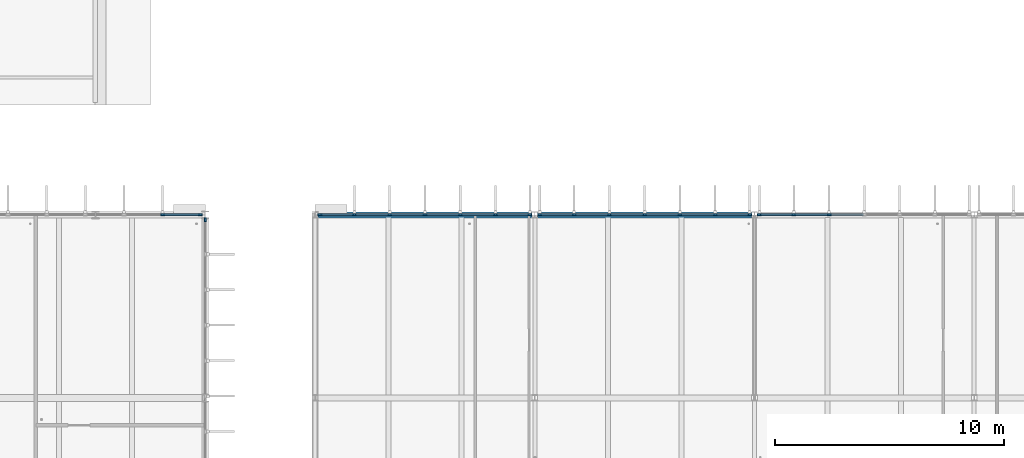
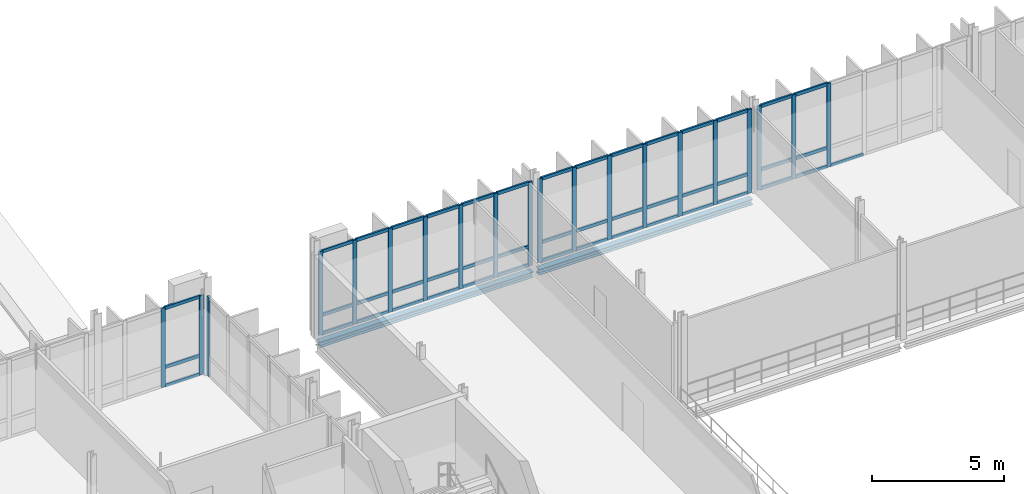
# One storey, part 21 of 59: 66 members, 2 beams, 5 elements without a shape of their own.
"""IFC4 building model written with IfcOpenShell, lengths in metres."""

from ifc_helpers import new_model, si_unit, direction, frame, origin, origin_2d, place, context, subcontext, project, spatial, rectangle, i_section, extrude, material, material_profile, profile_set, type_object, element, aggregate, save


model = new_model("IFC4")

# Units and contexts
model_context = context("Model", 3, precision=1e-05, world=origin(), true_north=direction((0.0, 1.0)))
body_context = subcontext(model_context, "Body", "Model", "MODEL_VIEW")
ifc_project = project(units=[si_unit("LENGTHUNIT", "METRE"), si_unit("AREAUNIT", "SQUARE_METRE"), si_unit("VOLUMEUNIT", "CUBIC_METRE"), si_unit("PLANEANGLEUNIT", "RADIAN"), si_unit("MASSUNIT", "GRAM", prefix="KILO")], contexts=[model_context])

# Site, building, storey
site_placement = place(None, origin())
site = spatial("IfcSite", under=ifc_project, at=site_placement, CompositionType="ELEMENT")
building_placement = place(site_placement, origin())
building = spatial("IfcBuilding", under=site, at=building_placement, Name="Dunescarp Central Library", CompositionType="ELEMENT")
storey_placement = place(building_placement, frame((0.0, 0.0, 18.60009765625)))
storey = spatial("IfcBuildingStorey", under=building, at=storey_placement, Name="L04", CompositionType="ELEMENT", Elevation=18.60009765625)

# Curtain wall, members
ifc_material_1 = material(Name="Marine-grade anodised aluminium 6063-T6", Category="aluminium")
curtain_wall_type = type_object("IfcCurtainWallType", Name="ARC-CW-STICK", PredefinedType="NOTDEFINED", material=ifc_material_1)
curtain_wall_1_placement = place(storey_placement, origin())
curtain_wall_1 = element("IfcCurtainWall", 1, at=curtain_wall_1_placement, inside=storey, type_object=curtain_wall_type, Name="L04 curtain wall CW-V1-026", PredefinedType="NOTDEFINED")
ifc_material_profile_1 = material_profile(ifc_material_1, rectangle(XDim=0.080078125, YDim=0.179931640625, at=origin_2d()), Name="AL 80x180")
ifc_profile_set_1 = profile_set([ifc_material_profile_1], Name="Marine-grade anodised aluminium 6063-T6")
member_type_1 = type_object("IfcMemberType", Name="ARC-CWM-180", PredefinedType="MULLION", material=ifc_profile_set_1)
member_1_placement = place(storey_placement, frame((31.735595703125, 36.800048828125, 0.0), z_axis=(0.0, 0.0, 1.0), x_axis=(0.0, 1.0, 0.0)))
member_1 = element("IfcMember", 2, at=member_1_placement, type_object=member_type_1, Name="CW-V1-026 mullion 7", PredefinedType="MULLION", context=body_context, shape_type="SweptSolid", body=[
    extrude(rectangle(XDim=0.080078125, YDim=0.179931640625, at=origin_2d()), origin(), (0.0, 0.0, 1.0), 3.664794921875),
])
member_2_placement = place(storey_placement, frame((33.385009765625, 36.800048828125, 0.0), z_axis=(0.0, 0.0, 1.0), x_axis=(0.0, 1.0, 0.0)))
member_2 = element("IfcMember", 3, at=member_2_placement, type_object=member_type_1, Name="CW-V1-026 mullion 8", PredefinedType="MULLION", context=body_context, shape_type="SweptSolid", body=[
    extrude(rectangle(XDim=0.080078125, YDim=0.179931640625, at=origin_2d()), origin(), (0.0, 0.0, 1.0), 3.664794921875),
])

# Curtain wall, member
curtain_wall_2_placement = place(storey_placement, origin())
curtain_wall_2 = element("IfcCurtainWall", 4, at=curtain_wall_2_placement, inside=storey, type_object=curtain_wall_type, Name="L04 curtain wall CW-V1-030", PredefinedType="NOTDEFINED")
member_3_placement = place(storey_placement, frame((33.60009765625, 36.5849609375, 0.0), z_axis=(0.0, 0.0, 1.0), x_axis=(1.0, 0.0, 0.0)))
member_3 = element("IfcMember", 5, at=member_3_placement, type_object=member_type_1, Name="CW-V1-030 mullion 1", PredefinedType="MULLION", context=body_context, shape_type="SweptSolid", body=[
    extrude(rectangle(XDim=0.080078125, YDim=0.179931640625, at=origin_2d()), origin(), (0.0, 0.0, 1.0), 3.664794921875),
])
aggregate(curtain_wall_2, [member_3])

# Curtain wall, members
curtain_wall_3_placement = place(storey_placement, origin())
curtain_wall_3 = element("IfcCurtainWall", 6, at=curtain_wall_3_placement, inside=storey, type_object=curtain_wall_type, Name="L04 curtain wall CW-V2-070", PredefinedType="NOTDEFINED")
member_4_placement = place(storey_placement, frame((38.614990234375, 36.800048828125, 0.0), z_axis=(0.0, 0.0, 1.0), x_axis=(0.0, 1.0, 0.0)))
member_4 = element("IfcMember", 7, at=member_4_placement, type_object=member_type_1, Name="CW-V2-070 mullion 1", PredefinedType="MULLION", context=body_context, shape_type="SweptSolid", body=[
    extrude(rectangle(XDim=0.080078125, YDim=0.179931640625, at=origin_2d()), origin(), (0.0, 0.0, 1.0), 3.87890625),
])
member_5_placement = place(storey_placement, frame((40.11669921875, 36.800048828125, 0.0), z_axis=(0.0, 0.0, 1.0), x_axis=(0.0, 1.0, 0.0)))
member_5 = element("IfcMember", 8, at=member_5_placement, type_object=member_type_1, Name="CW-V2-070 mullion 2", PredefinedType="MULLION", context=body_context, shape_type="SweptSolid", body=[
    extrude(rectangle(XDim=0.080078125, YDim=0.179931640625, at=origin_2d()), origin(), (0.0, 0.0, 1.0), 3.87890625),
])
member_6_placement = place(storey_placement, frame((41.658447265625, 36.800048828125, 0.0), z_axis=(0.0, 0.0, 1.0), x_axis=(0.0, 1.0, 0.0)))
member_6 = element("IfcMember", 9, at=member_6_placement, type_object=member_type_1, Name="CW-V2-070 mullion 3", PredefinedType="MULLION", context=body_context, shape_type="SweptSolid", body=[
    extrude(rectangle(XDim=0.080078125, YDim=0.179931640625, at=origin_2d()), origin(), (0.0, 0.0, 1.0), 3.87890625),
])
member_7_placement = place(storey_placement, frame((43.199951171875, 36.800048828125, 0.0), z_axis=(0.0, 0.0, 1.0), x_axis=(0.0, 1.0, 0.0)))
member_7 = element("IfcMember", 10, at=member_7_placement, type_object=member_type_1, Name="CW-V2-070 mullion 4", PredefinedType="MULLION", context=body_context, shape_type="SweptSolid", body=[
    extrude(rectangle(XDim=0.080078125, YDim=0.179931640625, at=origin_2d()), origin(), (0.0, 0.0, 1.0), 3.87890625),
])
member_8_placement = place(storey_placement, frame((44.74169921875, 36.800048828125, 0.0), z_axis=(0.0, 0.0, 1.0), x_axis=(0.0, 1.0, 0.0)))
member_8 = element("IfcMember", 11, at=member_8_placement, type_object=member_type_1, Name="CW-V2-070 mullion 5", PredefinedType="MULLION", context=body_context, shape_type="SweptSolid", body=[
    extrude(rectangle(XDim=0.080078125, YDim=0.179931640625, at=origin_2d()), origin(), (0.0, 0.0, 1.0), 3.87890625),
])
member_9_placement = place(storey_placement, frame((46.283447265625, 36.800048828125, 0.0), z_axis=(0.0, 0.0, 1.0), x_axis=(0.0, 1.0, 0.0)))
member_9 = element("IfcMember", 12, at=member_9_placement, type_object=member_type_1, Name="CW-V2-070 mullion 6", PredefinedType="MULLION", context=body_context, shape_type="SweptSolid", body=[
    extrude(rectangle(XDim=0.080078125, YDim=0.179931640625, at=origin_2d()), origin(), (0.0, 0.0, 1.0), 3.87890625),
])
member_10_placement = place(storey_placement, frame((47.784912109375, 36.800048828125, 0.0), z_axis=(0.0, 0.0, 1.0), x_axis=(0.0, 1.0, 0.0)))
member_10 = element("IfcMember", 13, at=member_10_placement, type_object=member_type_1, Name="CW-V2-070 mullion 7", PredefinedType="MULLION", context=body_context, shape_type="SweptSolid", body=[
    extrude(rectangle(XDim=0.080078125, YDim=0.179931640625, at=origin_2d()), origin(), (0.0, 0.0, 1.0), 3.87890625),
])

curtain_wall_4_placement = place(storey_placement, origin())
curtain_wall_4 = element("IfcCurtainWall", 14, at=curtain_wall_4_placement, inside=storey, type_object=curtain_wall_type, Name="L04 curtain wall CW-V2-071", PredefinedType="NOTDEFINED")
member_11_placement = place(storey_placement, frame((48.215087890625, 36.800048828125, 0.0), z_axis=(0.0, 0.0, 1.0), x_axis=(0.0, 1.0, 0.0)))
member_11 = element("IfcMember", 15, at=member_11_placement, type_object=member_type_1, Name="CW-V2-071 mullion 1", PredefinedType="MULLION", context=body_context, shape_type="SweptSolid", body=[
    extrude(rectangle(XDim=0.080078125, YDim=0.179931640625, at=origin_2d()), origin(), (0.0, 0.0, 1.0), 3.87890625),
])
member_12_placement = place(storey_placement, frame((49.716552734375, 36.800048828125, 0.0), z_axis=(0.0, 0.0, 1.0), x_axis=(0.0, 1.0, 0.0)))
member_12 = element("IfcMember", 16, at=member_12_placement, type_object=member_type_1, Name="CW-V2-071 mullion 2", PredefinedType="MULLION", context=body_context, shape_type="SweptSolid", body=[
    extrude(rectangle(XDim=0.080078125, YDim=0.179931640625, at=origin_2d()), origin(), (0.0, 0.0, 1.0), 3.87890625),
])
member_13_placement = place(storey_placement, frame((51.25830078125, 36.800048828125, 0.0), z_axis=(0.0, 0.0, 1.0), x_axis=(0.0, 1.0, 0.0)))
member_13 = element("IfcMember", 17, at=member_13_placement, type_object=member_type_1, Name="CW-V2-071 mullion 3", PredefinedType="MULLION", context=body_context, shape_type="SweptSolid", body=[
    extrude(rectangle(XDim=0.080078125, YDim=0.179931640625, at=origin_2d()), origin(), (0.0, 0.0, 1.0), 3.87890625),
])
member_14_placement = place(storey_placement, frame((52.800048828125, 36.800048828125, 0.0), z_axis=(0.0, 0.0, 1.0), x_axis=(0.0, 1.0, 0.0)))
member_14 = element("IfcMember", 18, at=member_14_placement, type_object=member_type_1, Name="CW-V2-071 mullion 4", PredefinedType="MULLION", context=body_context, shape_type="SweptSolid", body=[
    extrude(rectangle(XDim=0.080078125, YDim=0.179931640625, at=origin_2d()), origin(), (0.0, 0.0, 1.0), 3.87890625),
])
member_15_placement = place(storey_placement, frame((54.341552734375, 36.800048828125, 0.0), z_axis=(0.0, 0.0, 1.0), x_axis=(0.0, 1.0, 0.0)))
member_15 = element("IfcMember", 19, at=member_15_placement, type_object=member_type_1, Name="CW-V2-071 mullion 5", PredefinedType="MULLION", context=body_context, shape_type="SweptSolid", body=[
    extrude(rectangle(XDim=0.080078125, YDim=0.179931640625, at=origin_2d()), origin(), (0.0, 0.0, 1.0), 3.87890625),
])
member_16_placement = place(storey_placement, frame((55.88330078125, 36.800048828125, 0.0), z_axis=(0.0, 0.0, 1.0), x_axis=(0.0, 1.0, 0.0)))
member_16 = element("IfcMember", 20, at=member_16_placement, type_object=member_type_1, Name="CW-V2-071 mullion 6", PredefinedType="MULLION", context=body_context, shape_type="SweptSolid", body=[
    extrude(rectangle(XDim=0.080078125, YDim=0.179931640625, at=origin_2d()), origin(), (0.0, 0.0, 1.0), 3.87890625),
])
member_17_placement = place(storey_placement, frame((57.385009765625, 36.800048828125, 0.0), z_axis=(0.0, 0.0, 1.0), x_axis=(0.0, 1.0, 0.0)))
member_17 = element("IfcMember", 21, at=member_17_placement, type_object=member_type_1, Name="CW-V2-071 mullion 7", PredefinedType="MULLION", context=body_context, shape_type="SweptSolid", body=[
    extrude(rectangle(XDim=0.080078125, YDim=0.179931640625, at=origin_2d()), origin(), (0.0, 0.0, 1.0), 3.87890625),
])

curtain_wall_5_placement = place(storey_placement, origin())
curtain_wall_5 = element("IfcCurtainWall", 22, at=curtain_wall_5_placement, inside=storey, type_object=curtain_wall_type, Name="L04 curtain wall CW-V2-072", PredefinedType="NOTDEFINED")
member_18_placement = place(storey_placement, frame((57.81494140625, 36.800048828125, 0.0), z_axis=(0.0, 0.0, 1.0), x_axis=(0.0, 1.0, 0.0)))
member_18 = element("IfcMember", 23, at=member_18_placement, type_object=member_type_1, Name="CW-V2-072 mullion 1", PredefinedType="MULLION", context=body_context, shape_type="SweptSolid", body=[
    extrude(rectangle(XDim=0.080078125, YDim=0.179931640625, at=origin_2d()), origin(), (0.0, 0.0, 1.0), 3.87890625),
])
member_19_placement = place(storey_placement, frame((59.316650390625, 36.800048828125, 0.0), z_axis=(0.0, 0.0, 1.0), x_axis=(0.0, 1.0, 0.0)))
member_19 = element("IfcMember", 24, at=member_19_placement, type_object=member_type_1, Name="CW-V2-072 mullion 2", PredefinedType="MULLION", context=body_context, shape_type="SweptSolid", body=[
    extrude(rectangle(XDim=0.080078125, YDim=0.179931640625, at=origin_2d()), origin(), (0.0, 0.0, 1.0), 3.87890625),
])
member_20_placement = place(storey_placement, frame((60.8583984375, 36.800048828125, 0.0), z_axis=(0.0, 0.0, 1.0), x_axis=(0.0, 1.0, 0.0)))
member_20 = element("IfcMember", 25, at=member_20_placement, type_object=member_type_1, Name="CW-V2-072 mullion 3", PredefinedType="MULLION", context=body_context, shape_type="SweptSolid", body=[
    extrude(rectangle(XDim=0.080078125, YDim=0.179931640625, at=origin_2d()), origin(), (0.0, 0.0, 1.0), 3.87890625),
])

# Member
ifc_material_profile_2 = material_profile(ifc_material_1, rectangle(XDim=0.080078125, YDim=0.14990234375, at=origin_2d()), Name="AL 80x150")
ifc_profile_set_2 = profile_set([ifc_material_profile_2], Name="Marine-grade anodised aluminium 6063-T6")
member_type_2 = type_object("IfcMemberType", Name="ARC-CWT-150", PredefinedType="USERDEFINED", material=ifc_profile_set_2)
member_21_placement = place(storey_placement, frame((31.775634765625, 36.800048828125, 0.039794921875), z_axis=(1.0, 0.0, 0.0), x_axis=(0.0, 1.0, 0.0)))
member_21 = element("IfcMember", 26, at=member_21_placement, type_object=member_type_2, Name="CW-V1-026 transom 7.1", ObjectType="TRANSOM", PredefinedType="USERDEFINED", context=body_context, shape_type="SweptSolid", body=[
    extrude(rectangle(XDim=0.080078125, YDim=0.14990234375, at=origin_2d()), origin(), (0.0, 0.0, 1.0), 1.5693359375),
])

member_22_placement = place(storey_placement, frame((31.775634765625, 36.800048828125, 0.89990234375), z_axis=(1.0, 0.0, 0.0), x_axis=(0.0, 1.0, 0.0)))
member_22 = element("IfcMember", 27, at=member_22_placement, type_object=member_type_2, Name="CW-V1-026 transom 7.2", ObjectType="TRANSOM", PredefinedType="USERDEFINED", context=body_context, shape_type="SweptSolid", body=[
    extrude(rectangle(XDim=0.080078125, YDim=0.14990234375, at=origin_2d()), origin(), (0.0, 0.0, 1.0), 1.5693359375),
])

member_23_placement = place(storey_placement, frame((31.775634765625, 36.800048828125, 3.625), z_axis=(1.0, 0.0, 0.0), x_axis=(0.0, 1.0, 0.0)))
member_23 = element("IfcMember", 28, at=member_23_placement, type_object=member_type_2, Name="CW-V1-026 transom 7.3", ObjectType="TRANSOM", PredefinedType="USERDEFINED", context=body_context, shape_type="SweptSolid", body=[
    extrude(rectangle(XDim=0.080078125, YDim=0.14990234375, at=origin_2d()), origin(), (0.0, 0.0, 1.0), 1.5693359375),
])

aggregate(curtain_wall_1, [member_1, member_2, member_21, member_22, member_23])

member_24_placement = place(storey_placement, frame((38.655029296875, 36.800048828125, 0.039794921875), z_axis=(1.0, 0.0, 0.0), x_axis=(0.0, 1.0, 0.0)))
member_24 = element("IfcMember", 29, at=member_24_placement, type_object=member_type_2, Name="CW-V2-070 transom 1.1", ObjectType="TRANSOM", PredefinedType="USERDEFINED", context=body_context, shape_type="SweptSolid", body=[
    extrude(rectangle(XDim=0.080078125, YDim=0.14990234375, at=origin_2d()), origin(), (0.0, 0.0, 1.0), 1.421630859375),
])

member_25_placement = place(storey_placement, frame((38.655029296875, 36.800048828125, 0.89990234375), z_axis=(1.0, 0.0, 0.0), x_axis=(0.0, 1.0, 0.0)))
member_25 = element("IfcMember", 30, at=member_25_placement, type_object=member_type_2, Name="CW-V2-070 transom 1.2", ObjectType="TRANSOM", PredefinedType="USERDEFINED", context=body_context, shape_type="SweptSolid", body=[
    extrude(rectangle(XDim=0.080078125, YDim=0.14990234375, at=origin_2d()), origin(), (0.0, 0.0, 1.0), 1.421630859375),
])

member_26_placement = place(storey_placement, frame((38.655029296875, 36.800048828125, 3.8388671875), z_axis=(1.0, 0.0, 0.0), x_axis=(0.0, 1.0, 0.0)))
member_26 = element("IfcMember", 31, at=member_26_placement, type_object=member_type_2, Name="CW-V2-070 transom 1.3", ObjectType="TRANSOM", PredefinedType="USERDEFINED", context=body_context, shape_type="SweptSolid", body=[
    extrude(rectangle(XDim=0.080078125, YDim=0.14990234375, at=origin_2d()), origin(), (0.0, 0.0, 1.0), 1.421630859375),
])

member_27_placement = place(storey_placement, frame((40.15673828125, 36.800048828125, 0.039794921875), z_axis=(1.0, 0.0, 0.0), x_axis=(0.0, 1.0, 0.0)))
member_27 = element("IfcMember", 32, at=member_27_placement, type_object=member_type_2, Name="CW-V2-070 transom 2.1", ObjectType="TRANSOM", PredefinedType="USERDEFINED", context=body_context, shape_type="SweptSolid", body=[
    extrude(rectangle(XDim=0.080078125, YDim=0.14990234375, at=origin_2d()), origin(), (0.0, 0.0, 1.0), 1.461669921875),
])

member_28_placement = place(storey_placement, frame((40.15673828125, 36.800048828125, 0.89990234375), z_axis=(1.0, 0.0, 0.0), x_axis=(0.0, 1.0, 0.0)))
member_28 = element("IfcMember", 33, at=member_28_placement, type_object=member_type_2, Name="CW-V2-070 transom 2.2", ObjectType="TRANSOM", PredefinedType="USERDEFINED", context=body_context, shape_type="SweptSolid", body=[
    extrude(rectangle(XDim=0.080078125, YDim=0.14990234375, at=origin_2d()), origin(), (0.0, 0.0, 1.0), 1.461669921875),
])

member_29_placement = place(storey_placement, frame((40.15673828125, 36.800048828125, 3.8388671875), z_axis=(1.0, 0.0, 0.0), x_axis=(0.0, 1.0, 0.0)))
member_29 = element("IfcMember", 34, at=member_29_placement, type_object=member_type_2, Name="CW-V2-070 transom 2.3", ObjectType="TRANSOM", PredefinedType="USERDEFINED", context=body_context, shape_type="SweptSolid", body=[
    extrude(rectangle(XDim=0.080078125, YDim=0.14990234375, at=origin_2d()), origin(), (0.0, 0.0, 1.0), 1.461669921875),
])

member_30_placement = place(storey_placement, frame((41.6982421875, 36.800048828125, 0.039794921875), z_axis=(1.0, 0.0, 0.0), x_axis=(0.0, 1.0, 0.0)))
member_30 = element("IfcMember", 35, at=member_30_placement, type_object=member_type_2, Name="CW-V2-070 transom 3.1", ObjectType="TRANSOM", PredefinedType="USERDEFINED", context=body_context, shape_type="SweptSolid", body=[
    extrude(rectangle(XDim=0.080078125, YDim=0.14990234375, at=origin_2d()), origin(), (0.0, 0.0, 1.0), 1.461669921875),
])

member_31_placement = place(storey_placement, frame((41.6982421875, 36.800048828125, 0.89990234375), z_axis=(1.0, 0.0, 0.0), x_axis=(0.0, 1.0, 0.0)))
member_31 = element("IfcMember", 36, at=member_31_placement, type_object=member_type_2, Name="CW-V2-070 transom 3.2", ObjectType="TRANSOM", PredefinedType="USERDEFINED", context=body_context, shape_type="SweptSolid", body=[
    extrude(rectangle(XDim=0.080078125, YDim=0.14990234375, at=origin_2d()), origin(), (0.0, 0.0, 1.0), 1.461669921875),
])

member_32_placement = place(storey_placement, frame((41.6982421875, 36.800048828125, 3.8388671875), z_axis=(1.0, 0.0, 0.0), x_axis=(0.0, 1.0, 0.0)))
member_32 = element("IfcMember", 37, at=member_32_placement, type_object=member_type_2, Name="CW-V2-070 transom 3.3", ObjectType="TRANSOM", PredefinedType="USERDEFINED", context=body_context, shape_type="SweptSolid", body=[
    extrude(rectangle(XDim=0.080078125, YDim=0.14990234375, at=origin_2d()), origin(), (0.0, 0.0, 1.0), 1.461669921875),
])

member_33_placement = place(storey_placement, frame((43.239990234375, 36.800048828125, 0.039794921875), z_axis=(1.0, 0.0, 0.0), x_axis=(0.0, 1.0, 0.0)))
member_33 = element("IfcMember", 38, at=member_33_placement, type_object=member_type_2, Name="CW-V2-070 transom 4.1", ObjectType="TRANSOM", PredefinedType="USERDEFINED", context=body_context, shape_type="SweptSolid", body=[
    extrude(rectangle(XDim=0.080078125, YDim=0.14990234375, at=origin_2d()), origin(), (0.0, 0.0, 1.0), 1.461669921875),
])

member_34_placement = place(storey_placement, frame((43.239990234375, 36.800048828125, 0.89990234375), z_axis=(1.0, 0.0, 0.0), x_axis=(0.0, 1.0, 0.0)))
member_34 = element("IfcMember", 39, at=member_34_placement, type_object=member_type_2, Name="CW-V2-070 transom 4.2", ObjectType="TRANSOM", PredefinedType="USERDEFINED", context=body_context, shape_type="SweptSolid", body=[
    extrude(rectangle(XDim=0.080078125, YDim=0.14990234375, at=origin_2d()), origin(), (0.0, 0.0, 1.0), 1.461669921875),
])

member_35_placement = place(storey_placement, frame((43.239990234375, 36.800048828125, 3.8388671875), z_axis=(1.0, 0.0, 0.0), x_axis=(0.0, 1.0, 0.0)))
member_35 = element("IfcMember", 40, at=member_35_placement, type_object=member_type_2, Name="CW-V2-070 transom 4.3", ObjectType="TRANSOM", PredefinedType="USERDEFINED", context=body_context, shape_type="SweptSolid", body=[
    extrude(rectangle(XDim=0.080078125, YDim=0.14990234375, at=origin_2d()), origin(), (0.0, 0.0, 1.0), 1.461669921875),
])

member_36_placement = place(storey_placement, frame((44.78173828125, 36.800048828125, 0.039794921875), z_axis=(1.0, 0.0, 0.0), x_axis=(0.0, 1.0, 0.0)))
member_36 = element("IfcMember", 41, at=member_36_placement, type_object=member_type_2, Name="CW-V2-070 transom 5.1", ObjectType="TRANSOM", PredefinedType="USERDEFINED", context=body_context, shape_type="SweptSolid", body=[
    extrude(rectangle(XDim=0.080078125, YDim=0.14990234375, at=origin_2d()), origin(), (0.0, 0.0, 1.0), 1.461669921875),
])

member_37_placement = place(storey_placement, frame((44.78173828125, 36.800048828125, 0.89990234375), z_axis=(1.0, 0.0, 0.0), x_axis=(0.0, 1.0, 0.0)))
member_37 = element("IfcMember", 42, at=member_37_placement, type_object=member_type_2, Name="CW-V2-070 transom 5.2", ObjectType="TRANSOM", PredefinedType="USERDEFINED", context=body_context, shape_type="SweptSolid", body=[
    extrude(rectangle(XDim=0.080078125, YDim=0.14990234375, at=origin_2d()), origin(), (0.0, 0.0, 1.0), 1.461669921875),
])

member_38_placement = place(storey_placement, frame((44.78173828125, 36.800048828125, 3.8388671875), z_axis=(1.0, 0.0, 0.0), x_axis=(0.0, 1.0, 0.0)))
member_38 = element("IfcMember", 43, at=member_38_placement, type_object=member_type_2, Name="CW-V2-070 transom 5.3", ObjectType="TRANSOM", PredefinedType="USERDEFINED", context=body_context, shape_type="SweptSolid", body=[
    extrude(rectangle(XDim=0.080078125, YDim=0.14990234375, at=origin_2d()), origin(), (0.0, 0.0, 1.0), 1.461669921875),
])

member_39_placement = place(storey_placement, frame((46.3232421875, 36.800048828125, 0.039794921875), z_axis=(1.0, 0.0, 0.0), x_axis=(0.0, 1.0, 0.0)))
member_39 = element("IfcMember", 44, at=member_39_placement, type_object=member_type_2, Name="CW-V2-070 transom 6.1", ObjectType="TRANSOM", PredefinedType="USERDEFINED", context=body_context, shape_type="SweptSolid", body=[
    extrude(rectangle(XDim=0.080078125, YDim=0.14990234375, at=origin_2d()), origin(), (0.0, 0.0, 1.0), 1.421875),
])

member_40_placement = place(storey_placement, frame((46.3232421875, 36.800048828125, 0.89990234375), z_axis=(1.0, 0.0, 0.0), x_axis=(0.0, 1.0, 0.0)))
member_40 = element("IfcMember", 45, at=member_40_placement, type_object=member_type_2, Name="CW-V2-070 transom 6.2", ObjectType="TRANSOM", PredefinedType="USERDEFINED", context=body_context, shape_type="SweptSolid", body=[
    extrude(rectangle(XDim=0.080078125, YDim=0.14990234375, at=origin_2d()), origin(), (0.0, 0.0, 1.0), 1.421875),
])

member_41_placement = place(storey_placement, frame((46.3232421875, 36.800048828125, 3.8388671875), z_axis=(1.0, 0.0, 0.0), x_axis=(0.0, 1.0, 0.0)))
member_41 = element("IfcMember", 46, at=member_41_placement, type_object=member_type_2, Name="CW-V2-070 transom 6.3", ObjectType="TRANSOM", PredefinedType="USERDEFINED", context=body_context, shape_type="SweptSolid", body=[
    extrude(rectangle(XDim=0.080078125, YDim=0.14990234375, at=origin_2d()), origin(), (0.0, 0.0, 1.0), 1.421875),
])

aggregate(curtain_wall_3, [member_4, member_5, member_6, member_7, member_8, member_9, member_10, member_24, member_25, member_26, member_27, member_28, member_29, member_30, member_31, member_32, member_33, member_34, member_35, member_36, member_37, member_38, member_39, member_40, member_41])

member_42_placement = place(storey_placement, frame((48.2548828125, 36.800048828125, 0.039794921875), z_axis=(1.0, 0.0, 0.0), x_axis=(0.0, 1.0, 0.0)))
member_42 = element("IfcMember", 47, at=member_42_placement, type_object=member_type_2, Name="CW-V2-071 transom 1.1", ObjectType="TRANSOM", PredefinedType="USERDEFINED", context=body_context, shape_type="SweptSolid", body=[
    extrude(rectangle(XDim=0.080078125, YDim=0.14990234375, at=origin_2d()), origin(), (0.0, 0.0, 1.0), 1.421875),
])

member_43_placement = place(storey_placement, frame((48.2548828125, 36.800048828125, 0.89990234375), z_axis=(1.0, 0.0, 0.0), x_axis=(0.0, 1.0, 0.0)))
member_43 = element("IfcMember", 48, at=member_43_placement, type_object=member_type_2, Name="CW-V2-071 transom 1.2", ObjectType="TRANSOM", PredefinedType="USERDEFINED", context=body_context, shape_type="SweptSolid", body=[
    extrude(rectangle(XDim=0.080078125, YDim=0.14990234375, at=origin_2d()), origin(), (0.0, 0.0, 1.0), 1.421875),
])

member_44_placement = place(storey_placement, frame((48.2548828125, 36.800048828125, 3.8388671875), z_axis=(1.0, 0.0, 0.0), x_axis=(0.0, 1.0, 0.0)))
member_44 = element("IfcMember", 49, at=member_44_placement, type_object=member_type_2, Name="CW-V2-071 transom 1.3", ObjectType="TRANSOM", PredefinedType="USERDEFINED", context=body_context, shape_type="SweptSolid", body=[
    extrude(rectangle(XDim=0.080078125, YDim=0.14990234375, at=origin_2d()), origin(), (0.0, 0.0, 1.0), 1.421875),
])

member_45_placement = place(storey_placement, frame((49.756591796875, 36.800048828125, 0.039794921875), z_axis=(1.0, 0.0, 0.0), x_axis=(0.0, 1.0, 0.0)))
member_45 = element("IfcMember", 50, at=member_45_placement, type_object=member_type_2, Name="CW-V2-071 transom 2.1", ObjectType="TRANSOM", PredefinedType="USERDEFINED", context=body_context, shape_type="SweptSolid", body=[
    extrude(rectangle(XDim=0.080078125, YDim=0.14990234375, at=origin_2d()), origin(), (0.0, 0.0, 1.0), 1.461669921875),
])

member_46_placement = place(storey_placement, frame((49.756591796875, 36.800048828125, 0.89990234375), z_axis=(1.0, 0.0, 0.0), x_axis=(0.0, 1.0, 0.0)))
member_46 = element("IfcMember", 51, at=member_46_placement, type_object=member_type_2, Name="CW-V2-071 transom 2.2", ObjectType="TRANSOM", PredefinedType="USERDEFINED", context=body_context, shape_type="SweptSolid", body=[
    extrude(rectangle(XDim=0.080078125, YDim=0.14990234375, at=origin_2d()), origin(), (0.0, 0.0, 1.0), 1.461669921875),
])

member_47_placement = place(storey_placement, frame((49.756591796875, 36.800048828125, 3.8388671875), z_axis=(1.0, 0.0, 0.0), x_axis=(0.0, 1.0, 0.0)))
member_47 = element("IfcMember", 52, at=member_47_placement, type_object=member_type_2, Name="CW-V2-071 transom 2.3", ObjectType="TRANSOM", PredefinedType="USERDEFINED", context=body_context, shape_type="SweptSolid", body=[
    extrude(rectangle(XDim=0.080078125, YDim=0.14990234375, at=origin_2d()), origin(), (0.0, 0.0, 1.0), 1.461669921875),
])

member_48_placement = place(storey_placement, frame((51.29833984375, 36.800048828125, 0.039794921875), z_axis=(1.0, 0.0, 0.0), x_axis=(0.0, 1.0, 0.0)))
member_48 = element("IfcMember", 53, at=member_48_placement, type_object=member_type_2, Name="CW-V2-071 transom 3.1", ObjectType="TRANSOM", PredefinedType="USERDEFINED", context=body_context, shape_type="SweptSolid", body=[
    extrude(rectangle(XDim=0.080078125, YDim=0.14990234375, at=origin_2d()), origin(), (0.0, 0.0, 1.0), 1.461669921875),
])

member_49_placement = place(storey_placement, frame((51.29833984375, 36.800048828125, 0.89990234375), z_axis=(1.0, 0.0, 0.0), x_axis=(0.0, 1.0, 0.0)))
member_49 = element("IfcMember", 54, at=member_49_placement, type_object=member_type_2, Name="CW-V2-071 transom 3.2", ObjectType="TRANSOM", PredefinedType="USERDEFINED", context=body_context, shape_type="SweptSolid", body=[
    extrude(rectangle(XDim=0.080078125, YDim=0.14990234375, at=origin_2d()), origin(), (0.0, 0.0, 1.0), 1.461669921875),
])

member_50_placement = place(storey_placement, frame((51.29833984375, 36.800048828125, 3.8388671875), z_axis=(1.0, 0.0, 0.0), x_axis=(0.0, 1.0, 0.0)))
member_50 = element("IfcMember", 55, at=member_50_placement, type_object=member_type_2, Name="CW-V2-071 transom 3.3", ObjectType="TRANSOM", PredefinedType="USERDEFINED", context=body_context, shape_type="SweptSolid", body=[
    extrude(rectangle(XDim=0.080078125, YDim=0.14990234375, at=origin_2d()), origin(), (0.0, 0.0, 1.0), 1.461669921875),
])

member_51_placement = place(storey_placement, frame((52.840087890625, 36.800048828125, 0.039794921875), z_axis=(1.0, 0.0, 0.0), x_axis=(0.0, 1.0, 0.0)))
member_51 = element("IfcMember", 56, at=member_51_placement, type_object=member_type_2, Name="CW-V2-071 transom 4.1", ObjectType="TRANSOM", PredefinedType="USERDEFINED", context=body_context, shape_type="SweptSolid", body=[
    extrude(rectangle(XDim=0.080078125, YDim=0.14990234375, at=origin_2d()), origin(), (0.0, 0.0, 1.0), 1.461669921875),
])

member_52_placement = place(storey_placement, frame((52.840087890625, 36.800048828125, 0.89990234375), z_axis=(1.0, 0.0, 0.0), x_axis=(0.0, 1.0, 0.0)))
member_52 = element("IfcMember", 57, at=member_52_placement, type_object=member_type_2, Name="CW-V2-071 transom 4.2", ObjectType="TRANSOM", PredefinedType="USERDEFINED", context=body_context, shape_type="SweptSolid", body=[
    extrude(rectangle(XDim=0.080078125, YDim=0.14990234375, at=origin_2d()), origin(), (0.0, 0.0, 1.0), 1.461669921875),
])

member_53_placement = place(storey_placement, frame((52.840087890625, 36.800048828125, 3.8388671875), z_axis=(1.0, 0.0, 0.0), x_axis=(0.0, 1.0, 0.0)))
member_53 = element("IfcMember", 58, at=member_53_placement, type_object=member_type_2, Name="CW-V2-071 transom 4.3", ObjectType="TRANSOM", PredefinedType="USERDEFINED", context=body_context, shape_type="SweptSolid", body=[
    extrude(rectangle(XDim=0.080078125, YDim=0.14990234375, at=origin_2d()), origin(), (0.0, 0.0, 1.0), 1.461669921875),
])

member_54_placement = place(storey_placement, frame((54.381591796875, 36.800048828125, 0.039794921875), z_axis=(1.0, 0.0, 0.0), x_axis=(0.0, 1.0, 0.0)))
member_54 = element("IfcMember", 59, at=member_54_placement, type_object=member_type_2, Name="CW-V2-071 transom 5.1", ObjectType="TRANSOM", PredefinedType="USERDEFINED", context=body_context, shape_type="SweptSolid", body=[
    extrude(rectangle(XDim=0.080078125, YDim=0.14990234375, at=origin_2d()), origin(), (0.0, 0.0, 1.0), 1.461669921875),
])

member_55_placement = place(storey_placement, frame((54.381591796875, 36.800048828125, 0.89990234375), z_axis=(1.0, 0.0, 0.0), x_axis=(0.0, 1.0, 0.0)))
member_55 = element("IfcMember", 60, at=member_55_placement, type_object=member_type_2, Name="CW-V2-071 transom 5.2", ObjectType="TRANSOM", PredefinedType="USERDEFINED", context=body_context, shape_type="SweptSolid", body=[
    extrude(rectangle(XDim=0.080078125, YDim=0.14990234375, at=origin_2d()), origin(), (0.0, 0.0, 1.0), 1.461669921875),
])

member_56_placement = place(storey_placement, frame((54.381591796875, 36.800048828125, 3.8388671875), z_axis=(1.0, 0.0, 0.0), x_axis=(0.0, 1.0, 0.0)))
member_56 = element("IfcMember", 61, at=member_56_placement, type_object=member_type_2, Name="CW-V2-071 transom 5.3", ObjectType="TRANSOM", PredefinedType="USERDEFINED", context=body_context, shape_type="SweptSolid", body=[
    extrude(rectangle(XDim=0.080078125, YDim=0.14990234375, at=origin_2d()), origin(), (0.0, 0.0, 1.0), 1.461669921875),
])

member_57_placement = place(storey_placement, frame((55.92333984375, 36.800048828125, 0.039794921875), z_axis=(1.0, 0.0, 0.0), x_axis=(0.0, 1.0, 0.0)))
member_57 = element("IfcMember", 62, at=member_57_placement, type_object=member_type_2, Name="CW-V2-071 transom 6.1", ObjectType="TRANSOM", PredefinedType="USERDEFINED", context=body_context, shape_type="SweptSolid", body=[
    extrude(rectangle(XDim=0.080078125, YDim=0.14990234375, at=origin_2d()), origin(), (0.0, 0.0, 1.0), 1.421630859375),
])

member_58_placement = place(storey_placement, frame((55.92333984375, 36.800048828125, 0.89990234375), z_axis=(1.0, 0.0, 0.0), x_axis=(0.0, 1.0, 0.0)))
member_58 = element("IfcMember", 63, at=member_58_placement, type_object=member_type_2, Name="CW-V2-071 transom 6.2", ObjectType="TRANSOM", PredefinedType="USERDEFINED", context=body_context, shape_type="SweptSolid", body=[
    extrude(rectangle(XDim=0.080078125, YDim=0.14990234375, at=origin_2d()), origin(), (0.0, 0.0, 1.0), 1.421630859375),
])

member_59_placement = place(storey_placement, frame((55.92333984375, 36.800048828125, 3.8388671875), z_axis=(1.0, 0.0, 0.0), x_axis=(0.0, 1.0, 0.0)))
member_59 = element("IfcMember", 64, at=member_59_placement, type_object=member_type_2, Name="CW-V2-071 transom 6.3", ObjectType="TRANSOM", PredefinedType="USERDEFINED", context=body_context, shape_type="SweptSolid", body=[
    extrude(rectangle(XDim=0.080078125, YDim=0.14990234375, at=origin_2d()), origin(), (0.0, 0.0, 1.0), 1.421630859375),
])

aggregate(curtain_wall_4, [member_11, member_12, member_13, member_14, member_15, member_16, member_17, member_42, member_43, member_44, member_45, member_46, member_47, member_48, member_49, member_50, member_51, member_52, member_53, member_54, member_55, member_56, member_57, member_58, member_59])

member_60_placement = place(storey_placement, frame((57.85498046875, 36.800048828125, 0.039794921875), z_axis=(1.0, 0.0, 0.0), x_axis=(0.0, 1.0, 0.0)))
member_60 = element("IfcMember", 65, at=member_60_placement, type_object=member_type_2, Name="CW-V2-072 transom 1.1", ObjectType="TRANSOM", PredefinedType="USERDEFINED", context=body_context, shape_type="SweptSolid", body=[
    extrude(rectangle(XDim=0.080078125, YDim=0.14990234375, at=origin_2d()), origin(), (0.0, 0.0, 1.0), 1.421630859375),
])

member_61_placement = place(storey_placement, frame((57.85498046875, 36.800048828125, 0.89990234375), z_axis=(1.0, 0.0, 0.0), x_axis=(0.0, 1.0, 0.0)))
member_61 = element("IfcMember", 66, at=member_61_placement, type_object=member_type_2, Name="CW-V2-072 transom 1.2", ObjectType="TRANSOM", PredefinedType="USERDEFINED", context=body_context, shape_type="SweptSolid", body=[
    extrude(rectangle(XDim=0.080078125, YDim=0.14990234375, at=origin_2d()), origin(), (0.0, 0.0, 1.0), 1.421630859375),
])

member_62_placement = place(storey_placement, frame((57.85498046875, 36.800048828125, 3.8388671875), z_axis=(1.0, 0.0, 0.0), x_axis=(0.0, 1.0, 0.0)))
member_62 = element("IfcMember", 67, at=member_62_placement, type_object=member_type_2, Name="CW-V2-072 transom 1.3", ObjectType="TRANSOM", PredefinedType="USERDEFINED", context=body_context, shape_type="SweptSolid", body=[
    extrude(rectangle(XDim=0.080078125, YDim=0.14990234375, at=origin_2d()), origin(), (0.0, 0.0, 1.0), 1.421630859375),
])

member_63_placement = place(storey_placement, frame((59.356689453125, 36.800048828125, 0.039794921875), z_axis=(1.0, 0.0, 0.0), x_axis=(0.0, 1.0, 0.0)))
member_63 = element("IfcMember", 68, at=member_63_placement, type_object=member_type_2, Name="CW-V2-072 transom 2.1", ObjectType="TRANSOM", PredefinedType="USERDEFINED", context=body_context, shape_type="SweptSolid", body=[
    extrude(rectangle(XDim=0.080078125, YDim=0.14990234375, at=origin_2d()), origin(), (0.0, 0.0, 1.0), 1.461669921875),
])

member_64_placement = place(storey_placement, frame((59.356689453125, 36.800048828125, 0.89990234375), z_axis=(1.0, 0.0, 0.0), x_axis=(0.0, 1.0, 0.0)))
member_64 = element("IfcMember", 69, at=member_64_placement, type_object=member_type_2, Name="CW-V2-072 transom 2.2", ObjectType="TRANSOM", PredefinedType="USERDEFINED", context=body_context, shape_type="SweptSolid", body=[
    extrude(rectangle(XDim=0.080078125, YDim=0.14990234375, at=origin_2d()), origin(), (0.0, 0.0, 1.0), 1.461669921875),
])

member_65_placement = place(storey_placement, frame((59.356689453125, 36.800048828125, 3.8388671875), z_axis=(1.0, 0.0, 0.0), x_axis=(0.0, 1.0, 0.0)))
member_65 = element("IfcMember", 70, at=member_65_placement, type_object=member_type_2, Name="CW-V2-072 transom 2.3", ObjectType="TRANSOM", PredefinedType="USERDEFINED", context=body_context, shape_type="SweptSolid", body=[
    extrude(rectangle(XDim=0.080078125, YDim=0.14990234375, at=origin_2d()), origin(), (0.0, 0.0, 1.0), 1.461669921875),
])

member_66_placement = place(storey_placement, frame((60.8984375, 36.800048828125, 0.039794921875), z_axis=(1.0, 0.0, 0.0), x_axis=(0.0, 1.0, 0.0)))
member_66 = element("IfcMember", 71, at=member_66_placement, type_object=member_type_2, Name="CW-V2-072 transom 3.1", ObjectType="TRANSOM", PredefinedType="USERDEFINED", context=body_context, shape_type="SweptSolid", body=[
    extrude(rectangle(XDim=0.080078125, YDim=0.14990234375, at=origin_2d()), origin(), (0.0, 0.0, 1.0), 1.461669921875),
])

aggregate(curtain_wall_5, [member_18, member_19, member_20, member_60, member_61, member_62, member_63, member_64, member_65, member_66])

# Beams
ifc_material_2 = material(Name="Steel S355JR", Category="steel")
ifc_material_profile_3 = material_profile(ifc_material_2, i_section(OverallWidth=0.260009765625, OverallDepth=0.260009765625, WebThickness=0.010009765625, FlangeThickness=0.017578125, at=origin_2d()), Name="HEB 260")
ifc_profile_set_3 = profile_set([ifc_material_profile_3], Name="Steel S355JR")
beam_type = type_object("IfcBeamType", Name="STR-BM-HEB260", PredefinedType="BEAM", material=ifc_profile_set_3)
for number, where, z_axis, x_axis, name in (
    (72, (38.528076171875, 36.800048828125, -0.380126953125), (1.0, 0.0, 0.0), (0.0, 1.0, 0.0), "L04 girder BM-L04-0554"),
    (73, (48.1279296875, 36.800048828125, -0.380126953125), (1.0, 0.0, 0.0), (0.0, 1.0, 0.0), "L04 girder BM-L04-0569"),
):
    element("IfcBeam", number, at=place(storey_placement, frame(where, z_axis=z_axis, x_axis=x_axis)), inside=storey, type_object=beam_type, Name=name, PredefinedType="BEAM", context=body_context, shape_type="SweptSolid", body=[
        extrude(i_section(OverallWidth=0.260009765625, OverallDepth=0.260009765625, WebThickness=0.010009765625, FlangeThickness=0.017578125, at=origin_2d()), origin(), (0.0, 0.0, 1.0), 9.343994140625),
    ])

save(model, "model.ifc")
